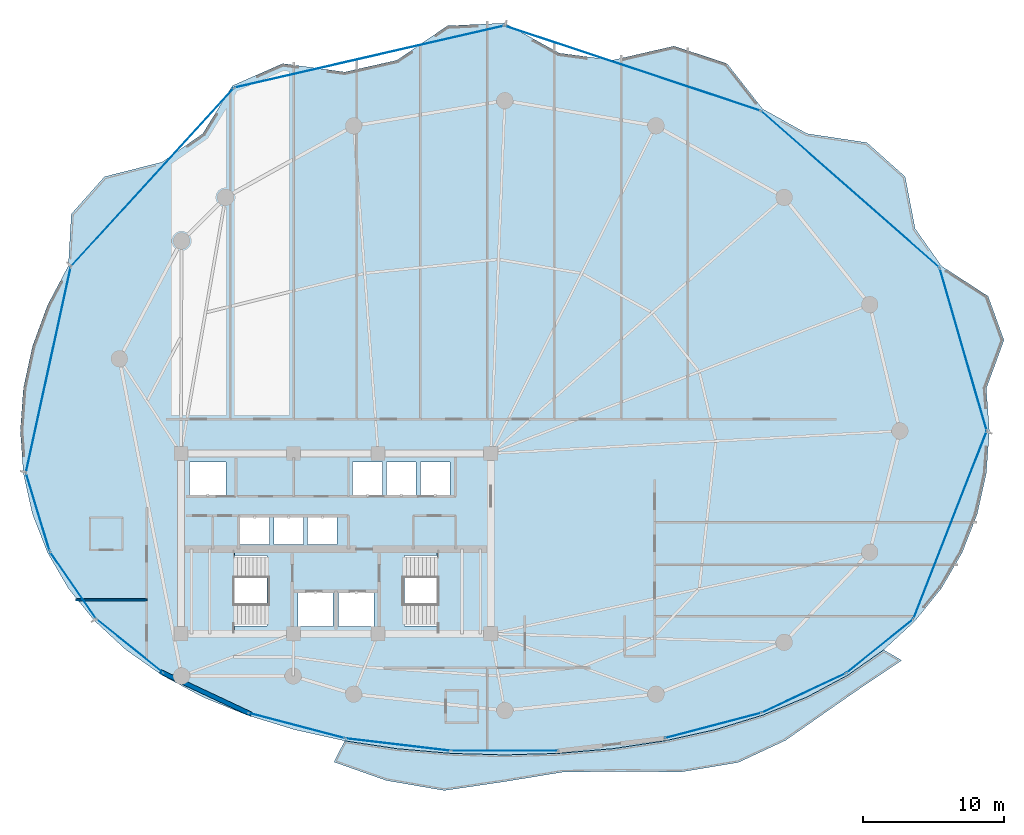
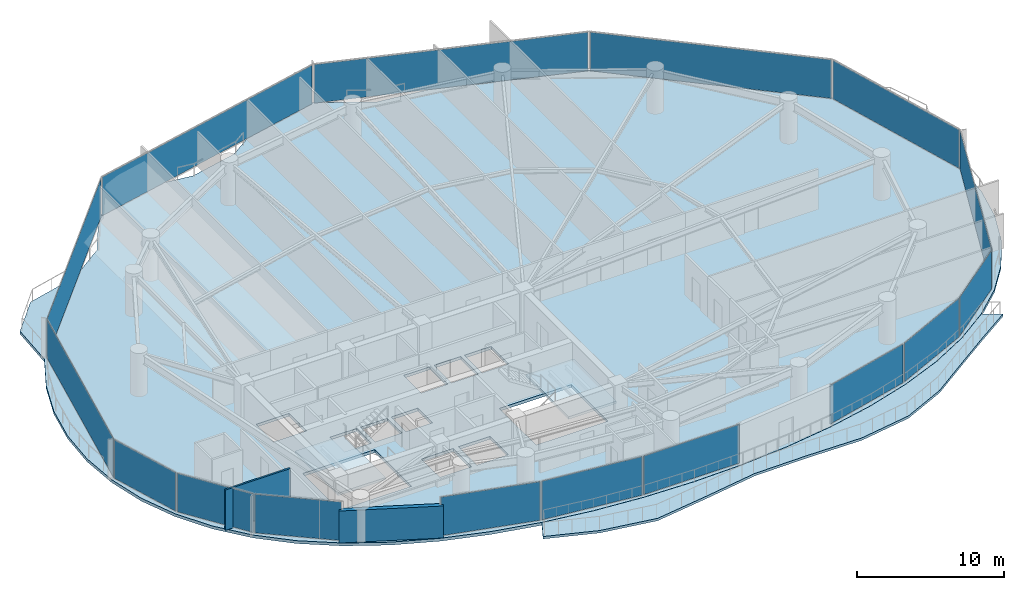
# One storey, part 25 of 34: 16 plates, 4 slabs, 2 walls, 18 elements without a shape of their own.
"""IFC4 building model written with IfcOpenShell, lengths in metres."""

from ifc_helpers import new_model, si_unit, direction, frame, frame_2d, origin, origin_2d, place, context, subcontext, project, spatial, polyline, rectangle, outline, extrude, material, layer, layer_set, type_object, element, aggregate, save


model = new_model("IFC4")

# Units and contexts
model_context = context("Model", 3, precision=1e-05, world=origin(), true_north=direction((0.0, 1.0)))
body_context = subcontext(model_context, "Body", "Model", "MODEL_VIEW")
ifc_project = project(units=[si_unit("LENGTHUNIT", "METRE"), si_unit("AREAUNIT", "SQUARE_METRE"), si_unit("VOLUMEUNIT", "CUBIC_METRE"), si_unit("PLANEANGLEUNIT", "RADIAN"), si_unit("MASSUNIT", "GRAM", prefix="KILO")], contexts=[model_context])

# Site, building, storey
site_placement = place(None, origin())
site = spatial("IfcSite", under=ifc_project, at=site_placement, CompositionType="ELEMENT")
building_placement = place(site_placement, origin())
building = spatial("IfcBuilding", under=site, at=building_placement, Name="Kazevale Care Tower and Concert Hall", CompositionType="ELEMENT")
storey_placement = place(building_placement, frame((0.0, 0.0, 171.0)))
storey = spatial("IfcBuildingStorey", under=building, at=storey_placement, Name="L45", CompositionType="ELEMENT", Elevation=171.0)

# Curtain wall, plate
ifc_material_1 = material(Name="Aluminium 6063-T6 and Low-E Glass", Category="aluminium")
ifc_layer_1 = layer(ifc_material_1, 0.179931640625)
ifc_layer_set_1 = layer_set([ifc_layer_1], Name="Aluminium 6063-T6 and Low-E Glass")
curtain_wall_type_1 = type_object("IfcCurtainWallType", Name="Convex Checkerboard Finned Curtain Wall CW-2", PredefinedType="NOTDEFINED", material=ifc_layer_set_1)
curtain_wall_1_placement = place(storey_placement, origin())
curtain_wall_1 = element("IfcCurtainWall", 1, at=curtain_wall_1_placement, inside=storey, type_object=curtain_wall_type_1, Name="cw:L45:f14", PredefinedType="NOTDEFINED")
ifc_material_2 = material(Name="Low-E Laminated Glass", Category="glass")
ifc_layer_2 = layer(ifc_material_2, 0.028076171875)
ifc_layer_set_2 = layer_set([ifc_layer_2], Name="Low-E Laminated Glass")
plate_type_1 = type_object("IfcPlateType", Name="CW-2 Low-E Glazing Panel 28mm", PredefinedType="CURTAIN_PANEL", material=ifc_layer_set_2)
plate_1_placement = place(storey_placement, frame((19.98388671875, 56.017578125, 0.074951171875), z_axis=(0.0, 0.0, 1.0), x_axis=(0.674262472751, 0.738491785899, 0.0)))
plate_1 = element("IfcPlate", 2, at=plate_1_placement, type_object=plate_type_1, Name="CW-2 panel 1.1", PredefinedType="CURTAIN_PANEL", context=body_context, shape_type="SweptSolid", body=[
    extrude(rectangle(XDim=17.0439453125, YDim=0.028076171875, at=origin_2d()), origin(), (0.0, 0.0, 1.0), 3.2099609375),
])
aggregate(curtain_wall_1, [plate_1])

curtain_wall_2_placement = place(storey_placement, origin())
curtain_wall_2 = element("IfcCurtainWall", 3, at=curtain_wall_2_placement, inside=storey, type_object=curtain_wall_type_1, Name="cw:L45:f16", PredefinedType="NOTDEFINED")
plate_2_placement = place(storey_placement, frame((54.070556640625, 63.7451171875, 0.074951171875), z_axis=(0.0, 0.0, 1.0), x_axis=(0.949135409507, -0.314868185785, 0.0)))
plate_2 = element("IfcPlate", 4, at=plate_2_placement, type_object=plate_type_1, Name="CW-2 panel 1.1", PredefinedType="CURTAIN_PANEL", context=body_context, shape_type="SweptSolid", body=[
    extrude(rectangle(XDim=19.041748046875, YDim=0.028076171875, at=origin_2d()), origin(), (0.0, 0.0, 1.0), 3.2099609375),
])
aggregate(curtain_wall_2, [plate_2])

ifc_layer_3 = layer(ifc_material_1, 0.179931640625)
ifc_layer_set_3 = layer_set([ifc_layer_3], Name="Aluminium 6063-T6 and Low-E Glass")
curtain_wall_type_2 = type_object("IfcCurtainWallType", Name="Convex Recessed Sunroom Curtain Wall CW-3", PredefinedType="NOTDEFINED", material=ifc_layer_set_3)
curtain_wall_3_placement = place(storey_placement, origin())
curtain_wall_3 = element("IfcCurtainWall", 5, at=curtain_wall_3_placement, inside=storey, type_object=curtain_wall_type_2, Name="cw:L45:f15", PredefinedType="NOTDEFINED")
ifc_layer_4 = layer(ifc_material_2, 0.028076171875)
ifc_layer_set_4 = layer_set([ifc_layer_4], Name="Low-E Laminated Glass")
plate_type_2 = type_object("IfcPlateType", Name="CW-3 Low-E Glazing Panel 28mm", PredefinedType="CURTAIN_PANEL", material=ifc_layer_set_4)
plate_3_placement = place(storey_placement, frame((35.37109375, 64.569091796875, 0.074951171875), z_axis=(0.0, 0.0, 1.0), x_axis=(0.974688488327, 0.223567329284, 0.0)))
plate_3 = element("IfcPlate", 6, at=plate_3_placement, type_object=plate_type_2, Name="CW-3 panel 1.1", PredefinedType="CURTAIN_PANEL", context=body_context, shape_type="SweptSolid", body=[
    extrude(rectangle(XDim=19.52197265625, YDim=0.028076171875, at=origin_2d()), origin(), (0.0, 0.0, 1.0), 3.2099609375),
])
aggregate(curtain_wall_3, [plate_3])

curtain_wall_4_placement = place(storey_placement, origin())
curtain_wall_4 = element("IfcCurtainWall", 7, at=curtain_wall_4_placement, inside=storey, type_object=curtain_wall_type_2, Name="cw:L45:f17", PredefinedType="NOTDEFINED")
plate_4_placement = place(storey_placement, frame((69.5244140625, 55.152587890625, 0.074951171875), z_axis=(0.0, 0.0, 1.0), x_axis=(0.751360700182, -0.659891732197, 0.0)))
plate_4 = element("IfcPlate", 8, at=plate_4_placement, type_object=plate_type_2, Name="CW-3 panel 1.1", PredefinedType="CURTAIN_PANEL", context=body_context, shape_type="SweptSolid", body=[
    extrude(rectangle(XDim=16.72998046875, YDim=0.028076171875, at=origin_2d()), origin(), (0.0, 0.0, 1.0), 3.2099609375),
])
aggregate(curtain_wall_4, [plate_4])

ifc_layer_5 = layer(ifc_material_1, 0.179931640625)
ifc_layer_set_5 = layer_set([ifc_layer_5], Name="Aluminium 6063-T6 and Low-E Glass")
curtain_wall_type_3 = type_object("IfcCurtainWallType", Name="Waist & Upper Residential Curtain Wall CW-4", PredefinedType="NOTDEFINED", material=ifc_layer_set_5)
curtain_wall_5_placement = place(storey_placement, origin())
curtain_wall_5 = element("IfcCurtainWall", 9, at=curtain_wall_5_placement, inside=storey, type_object=curtain_wall_type_3, Name="cw:L45:f01", PredefinedType="NOTDEFINED")
ifc_layer_6 = layer(ifc_material_2, 0.030029296875)
ifc_layer_set_6 = layer_set([ifc_layer_6], Name="Low-E Laminated Glass")
plate_type_3 = type_object("IfcPlateType", Name="CW-4 Low-E Glazing Panel 30mm", PredefinedType="CURTAIN_PANEL", material=ifc_layer_set_6)
plate_5_placement = place(storey_placement, frame((76.60791015625, 31.319091796875, 0.080078125), z_axis=(0.0, 0.0, 1.0), x_axis=(-0.36412075471, -0.931351746651, 0.0)))
plate_5 = element("IfcPlate", 10, at=plate_5_placement, type_object=plate_type_3, Name="CW-4 panel 1.1", PredefinedType="CURTAIN_PANEL", context=body_context, shape_type="SweptSolid", body=[
    extrude(rectangle(XDim=14.186767578125, YDim=0.030029296875, at=origin_2d()), origin(), (0.0, 0.0, 1.0), 3.199951171875),
])
aggregate(curtain_wall_5, [plate_5])

curtain_wall_6_placement = place(storey_placement, origin())
curtain_wall_6 = element("IfcCurtainWall", 11, at=curtain_wall_6_placement, inside=storey, type_object=curtain_wall_type_3, Name="cw:L45:f11", PredefinedType="NOTDEFINED")
plate_6_placement = place(storey_placement, frame((14.348388671875, 27.03955078125, 0.080078125), z_axis=(0.0, 0.0, 1.0), x_axis=(-0.567568708131, 0.823326035997, 0.0)))
plate_6 = element("IfcPlate", 12, at=plate_6_placement, type_object=plate_type_3, Name="CW-4 panel 1.1", PredefinedType="CURTAIN_PANEL", context=body_context, shape_type="SweptSolid", body=[
    extrude(rectangle(XDim=5.673583984375, YDim=0.030029296875, at=origin_2d()), origin(), (0.0, 0.0, 1.0), 3.199951171875),
])
aggregate(curtain_wall_6, [plate_6])

curtain_wall_7_placement = place(storey_placement, origin())
curtain_wall_7 = element("IfcCurtainWall", 13, at=curtain_wall_7_placement, inside=storey, type_object=curtain_wall_type_3, Name="cw:L45:f12", PredefinedType="NOTDEFINED")
plate_7_placement = place(storey_placement, frame((11.843994140625, 32.232421875, 0.080078125), z_axis=(0.0, 0.0, 1.0), x_axis=(-0.290977496961, 0.956729897234, 0.0)))
plate_7 = element("IfcPlate", 14, at=plate_7_placement, type_object=plate_type_3, Name="CW-4 panel 1.1", PredefinedType="CURTAIN_PANEL", context=body_context, shape_type="SweptSolid", body=[
    extrude(rectangle(XDim=5.675537109375, YDim=0.030029296875, at=origin_2d()), origin(), (0.0, 0.0, 1.0), 3.199951171875),
])
aggregate(curtain_wall_7, [plate_7])

curtain_wall_8_placement = place(storey_placement, origin())
curtain_wall_8 = element("IfcCurtainWall", 15, at=curtain_wall_8_placement, inside=storey, type_object=curtain_wall_type_3, Name="cw:L45:f13", PredefinedType="NOTDEFINED")
plate_8_placement = place(storey_placement, frame((12.589599609375, 42.344482421875, 0.080078125), z_axis=(0.0, 0.0, 1.0), x_axis=(0.21282305992, 0.977090755849, 0.0)))
plate_8 = element("IfcPlate", 16, at=plate_8_placement, type_object=plate_type_3, Name="CW-4 panel 1.1", PredefinedType="CURTAIN_PANEL", context=body_context, shape_type="SweptSolid", body=[
    extrude(rectangle(XDim=14.82421875, YDim=0.030029296875, at=origin_2d()), origin(), (0.0, 0.0, 1.0), 3.199951171875),
])
aggregate(curtain_wall_8, [plate_8])

curtain_wall_9_placement = place(storey_placement, origin())
curtain_wall_9 = element("IfcCurtainWall", 17, at=curtain_wall_9_placement, inside=storey, type_object=curtain_wall_type_3, Name="cw:L45:f18", PredefinedType="NOTDEFINED")
plate_9_placement = place(storey_placement, frame((77.54296875, 43.79150390625, 0.080078125), z_axis=(0.0, 0.0, 1.0), x_axis=(0.278136604418, -0.960541529182, 0.0)))
plate_9 = element("IfcPlate", 18, at=plate_9_placement, type_object=plate_type_3, Name="CW-4 panel 1.1", PredefinedType="CURTAIN_PANEL", context=body_context, shape_type="SweptSolid", body=[
    extrude(rectangle(XDim=11.89892578125, YDim=0.030029296875, at=origin_2d()), origin(), (0.0, 0.0, 1.0), 3.199951171875),
])
aggregate(curtain_wall_9, [plate_9])

ifc_layer_7 = layer(ifc_material_1, 0.179931640625)
ifc_layer_set_7 = layer_set([ifc_layer_7], Name="Aluminium 6063-T6 and Low-E Glass")
curtain_wall_type_4 = type_object("IfcCurtainWallType", Name="Sheltered Concave Balcony Curtain Wall CW-5", PredefinedType="NOTDEFINED", material=ifc_layer_set_7)
curtain_wall_10_placement = place(storey_placement, origin())
curtain_wall_10 = element("IfcCurtainWall", 19, at=curtain_wall_10_placement, inside=storey, type_object=curtain_wall_type_4, Name="cw:L45:f02", PredefinedType="NOTDEFINED")
ifc_layer_8 = layer(ifc_material_2, 0.02587890625)
ifc_layer_set_8 = layer_set([ifc_layer_8], Name="Low-E Laminated Glass")
plate_type_4 = type_object("IfcPlateType", Name="CW-5 Low-E Glazing Panel 26mm", PredefinedType="CURTAIN_PANEL", material=ifc_layer_set_8)
plate_10_placement = place(storey_placement, frame((71.613037109375, 22.720458984375, 0.074951171875), z_axis=(0.0, 0.0, 1.0), x_axis=(-0.779095419531, -0.626905357502, 0.0)))
plate_10 = element("IfcPlate", 20, at=plate_10_placement, type_object=plate_type_4, Name="CW-5 panel 1.1", PredefinedType="CURTAIN_PANEL", context=body_context, shape_type="SweptSolid", body=[
    extrude(rectangle(XDim=5.96728515625, YDim=0.02587890625, at=origin_2d()), origin(), (0.0, 0.0, 1.0), 3.2099609375),
])
aggregate(curtain_wall_10, [plate_10])

curtain_wall_11_placement = place(storey_placement, origin())
curtain_wall_11 = element("IfcCurtainWall", 21, at=curtain_wall_11_placement, inside=storey, type_object=curtain_wall_type_4, Name="cw:L45:f03", PredefinedType="NOTDEFINED")
plate_11_placement = place(storey_placement, frame((66.235595703125, 19.39697265625, 0.074951171875), z_axis=(0.0, 0.0, 1.0), x_axis=(-0.905188294205, -0.425010766963, 0.0)))
plate_11 = element("IfcPlate", 22, at=plate_11_placement, type_object=plate_type_4, Name="CW-5 panel 1.1", PredefinedType="CURTAIN_PANEL", context=body_context, shape_type="SweptSolid", body=[
    extrude(rectangle(XDim=6.46630859375, YDim=0.02587890625, at=origin_2d()), origin(), (0.0, 0.0, 1.0), 3.2099609375),
])
aggregate(curtain_wall_11, [plate_11])

curtain_wall_12_placement = place(storey_placement, origin())
curtain_wall_12 = element("IfcCurtainWall", 23, at=curtain_wall_12_placement, inside=storey, type_object=curtain_wall_type_4, Name="cw:L45:f04", PredefinedType="NOTDEFINED")
plate_12_placement = place(storey_placement, frame((59.784912109375, 17.08251953125, 0.074951171875), z_axis=(0.0, 0.0, 1.0), x_axis=(-0.967141564797, -0.254238458229, 0.0)))
plate_12 = element("IfcPlate", 24, at=plate_12_placement, type_object=plate_type_4, Name="CW-5 panel 1.1", PredefinedType="CURTAIN_PANEL", context=body_context, shape_type="SweptSolid", body=[
    extrude(rectangle(XDim=6.996826171875, YDim=0.02587890625, at=origin_2d()), origin(), (0.0, 0.0, 1.0), 3.2099609375),
])
aggregate(curtain_wall_12, [plate_12])

curtain_wall_13_placement = place(storey_placement, origin())
curtain_wall_13 = element("IfcCurtainWall", 25, at=curtain_wall_13_placement, inside=storey, type_object=curtain_wall_type_4, Name="cw:L45:f06", PredefinedType="NOTDEFINED")
plate_13_placement = place(storey_placement, frame((45.0, 15.2890625, 0.074951171875), z_axis=(0.0, 0.0, 1.0), x_axis=(-1.0, 0.0, 0.0)))
plate_13 = element("IfcPlate", 26, at=plate_13_placement, type_object=plate_type_4, Name="CW-5 panel 1.1", PredefinedType="CURTAIN_PANEL", context=body_context, shape_type="SweptSolid", body=[
    extrude(rectangle(XDim=7.531982421875, YDim=0.02587890625, at=origin_2d()), origin(), (0.0, 0.0, 1.0), 3.2099609375),
])
aggregate(curtain_wall_13, [plate_13])

curtain_wall_14_placement = place(storey_placement, origin())
curtain_wall_14 = element("IfcCurtainWall", 27, at=curtain_wall_14_placement, inside=storey, type_object=curtain_wall_type_4, Name="cw:L45:f07", PredefinedType="NOTDEFINED")
plate_14_placement = place(storey_placement, frame((37.4150390625, 15.7314453125, 0.074951171875), z_axis=(0.0, 0.0, 1.0), x_axis=(-0.993087997884, 0.117372179238, 0.0)))
plate_14 = element("IfcPlate", 28, at=plate_14_placement, type_object=plate_type_4, Name="CW-5 panel 1.1", PredefinedType="CURTAIN_PANEL", context=body_context, shape_type="SweptSolid", body=[
    extrude(rectangle(XDim=7.39013671875, YDim=0.02587890625, at=origin_2d()), origin(), (0.0, 0.0, 1.0), 3.2099609375),
])
aggregate(curtain_wall_14, [plate_14])

curtain_wall_15_placement = place(storey_placement, origin())
curtain_wall_15 = element("IfcCurtainWall", 29, at=curtain_wall_15_placement, inside=storey, type_object=curtain_wall_type_4, Name="cw:L45:f08", PredefinedType="NOTDEFINED")
plate_15_placement = place(storey_placement, frame((30.215087890625, 17.08251953125, 0.074951171875), z_axis=(0.0, 0.0, 1.0), x_axis=(-0.967141564797, 0.254238458229, 0.0)))
plate_15 = element("IfcPlate", 30, at=plate_15_placement, type_object=plate_type_4, Name="CW-5 panel 1.1", PredefinedType="CURTAIN_PANEL", context=body_context, shape_type="SweptSolid", body=[
    extrude(rectangle(XDim=6.996826171875, YDim=0.02587890625, at=origin_2d()), origin(), (0.0, 0.0, 1.0), 3.2099609375),
])
aggregate(curtain_wall_15, [plate_15])

curtain_wall_16_placement = place(storey_placement, origin())
curtain_wall_16 = element("IfcCurtainWall", 31, at=curtain_wall_16_placement, inside=storey, type_object=curtain_wall_type_4, Name="cw:L45:f10", PredefinedType="NOTDEFINED")
plate_16_placement = place(storey_placement, frame((18.386962890625, 22.720458984375, 0.074951171875), z_axis=(0.0, 0.0, 1.0), x_axis=(-0.779095419531, 0.626905357502, 0.0)))
plate_16 = element("IfcPlate", 32, at=plate_16_placement, type_object=plate_type_4, Name="CW-5 panel 1.1", PredefinedType="CURTAIN_PANEL", context=body_context, shape_type="SweptSolid", body=[
    extrude(rectangle(XDim=5.96728515625, YDim=0.02587890625, at=origin_2d()), origin(), (0.0, 0.0, 1.0), 3.2099609375),
])
aggregate(curtain_wall_16, [plate_16])

# Slab
ifc_material_3 = material(Name="Concrete C40", Category="concrete")
ifc_layer_9 = layer(ifc_material_3, 0.199951171875)
ifc_layer_set_9 = layer_set([ifc_layer_9], Name="Concrete C40")
slab_type_1 = type_object("IfcSlabType", Name="Sinusoidal Concave Balcony Slab 200", PredefinedType="USERDEFINED", material=ifc_layer_set_9)
slab_1_placement = place(storey_placement, frame((0.0, 0.0, -0.199951171875)))
element("IfcSlab", 33, at=slab_1_placement, inside=storey, type_object=slab_type_1, Name="slab:L45:bal", ObjectType="BALCONY", PredefinedType="USERDEFINED", context=body_context, shape_type="SweptSolid", body=[
    extrude(outline(polyline([(73.1787109375, 21.7109375), (70.423583984375, 19.865234375), (67.71826171875, 17.9873046875), (64.9287109375, 16.028076171875), (61.564697265625, 14.458984375), (57.5048828125, 13.783203125), (53.19921875, 13.8359375), (49.076904296875, 13.77099609375), (45.0, 13.103759765625), (40.7041015625, 12.4697265625), (36.579345703125, 13.183349609375), (32.864013671875, 14.498046875), (33.635986328125, 15.992919921875), (33.637451171875, 15.992431640625), (37.3447265625, 15.435546875), (41.148193359375, 15.104736328125), (45.0, 14.9951171875), (48.851806640625, 15.104736328125), (52.6552734375, 15.435546875), (56.362548828125, 15.992431640625), (59.927001953125, 16.783447265625), (63.3037109375, 17.81689453125), (66.4501953125, 19.101806640625), (69.3271484375, 20.64501953125), (71.898193359375, 22.44921875), (71.899658203125, 22.450439453125), (73.1787109375, 21.7109375)])), origin(), (0.0, 0.0, 1.0), 0.199951171875),
])

# Stair, slab
stair_type = type_object("IfcStairType", Name="Exit Stair Assembly ST1-Z2", PredefinedType="HALF_TURN_STAIR", material=ifc_material_3)
stair_1_placement = place(storey_placement, origin())
stair_1 = element("IfcStair", 34, at=stair_1_placement, inside=storey, type_object=stair_type, Name="stair:L45:ST1", PredefinedType="HALF_TURN_STAIR")
ifc_layer_10 = layer(ifc_material_3, 0.199951171875)
ifc_layer_set_10 = layer_set([ifc_layer_10], Name="Concrete C40")
slab_type_2 = type_object("IfcSlabType", Name="Stair Half-Landing Slab ST1-Z2", PredefinedType="LANDING", material=ifc_layer_set_10)
slab_2_placement = place(storey_placement, frame((0.0, 0.0, 1.60009765625)))
slab_2 = element("IfcSlab", 35, at=slab_2_placement, type_object=slab_type_2, Name="ST1-Z2 landing 1", PredefinedType="LANDING", context=body_context, shape_type="SweptSolid", body=[
    extrude(outline(polyline([(22.050048828125, 23.699951171875), (25.81005859375, 23.699951171875), (25.81005859375, 29.5), (22.050048828125, 29.5), (22.050048828125, 23.699951171875)])), origin(), (0.0, 0.0, 1.0), 0.199951171875),
])
aggregate(stair_1, [slab_2])

stair_2_placement = place(storey_placement, origin())
stair_2 = element("IfcStair", 36, at=stair_2_placement, inside=storey, type_object=stair_type, Name="stair:L45:ST2", PredefinedType="HALF_TURN_STAIR")
slab_3_placement = place(storey_placement, frame((0.0, 0.0, 1.60009765625)))
slab_3 = element("IfcSlab", 37, at=slab_3_placement, type_object=slab_type_2, Name="ST1-Z2 landing 1", PredefinedType="LANDING", context=body_context, shape_type="SweptSolid", body=[
    extrude(outline(polyline([(40.18994140625, 23.699951171875), (43.949951171875, 23.699951171875), (43.949951171875, 29.5), (40.18994140625, 29.5), (40.18994140625, 23.699951171875)])), origin(), (0.0, 0.0, 1.0), 0.199951171875),
])
aggregate(stair_2, [slab_3])

# Slab
ifc_layer_11 = layer(ifc_material_3, 0.239990234375)
ifc_layer_set_11 = layer_set([ifc_layer_11], Name="Concrete C40")
slab_type_3 = type_object("IfcSlabType", Name="Tower Typical Floor Slab 240", PredefinedType="FLOOR", material=ifc_layer_set_11)
slab_4_placement = place(storey_placement, frame((0.0, 0.0, -0.239990234375)))
element("IfcSlab", 38, at=slab_4_placement, inside=storey, type_object=slab_type_3, Name="slab:L45:tw:1", PredefinedType="FLOOR", context=body_context, shape_type="SweptSolid", body=[
    extrude(outline(polyline([(79.39990234375, 38.0), (79.18359375, 41.02294921875), (80.438720703125, 44.44189453125), (79.310302734375, 47.5615234375), (75.993408203125, 49.71484375), (74.127197265625, 52.364990234375), (73.419677734375, 56.050048828125), (70.703369140625, 58.470703125), (66.447998046875, 59.109619140625), (63.302001953125, 60.861572265625), (60.771728515625, 64.0830078125), (57.005615234375, 65.325439453125), (52.65478515625, 64.322998046875), (48.8515625, 64.830078125), (45.0, 66.949951171875), (40.93017578125, 66.76806640625), (37.34521484375, 64.322998046875), (33.638427734375, 63.48486328125), (29.228271484375, 64.0830078125), (25.66064453125, 62.5126953125), (23.552001953125, 59.109619140625), (20.675537109375, 57.091796875), (16.580322265625, 56.050048828125), (14.2216796875, 53.40234375), (14.006591796875, 49.71484375), (12.530517578125, 46.91748046875), (11.46240234375, 44.008056640625), (10.81640625, 41.02294921875), (10.60009765625, 38.0), (10.81640625, 34.997802734375), (11.46240234375, 32.1005859375), (12.530517578125, 29.362548828125), (14.006591796875, 26.82421875), (15.872802734375, 24.514892578125), (18.10498046875, 22.452880859375), (20.675537109375, 20.649169921875), (23.552001953125, 19.1064453125), (26.697998046875, 17.821533203125), (30.074462890625, 16.7880859375), (33.638427734375, 15.997314453125), (37.34521484375, 15.4404296875), (41.1484375, 15.109619140625), (45.0, 15.0), (48.8515625, 15.109619140625), (52.65478515625, 15.4404296875), (56.361572265625, 15.997314453125), (59.925537109375, 16.7880859375), (63.302001953125, 17.821533203125), (66.447998046875, 19.1064453125), (69.324462890625, 20.649169921875), (71.89501953125, 22.452880859375), (74.127197265625, 24.514892578125), (75.993408203125, 26.82421875), (77.469482421875, 29.362548828125), (78.53759765625, 32.1005859375), (79.18359375, 34.997802734375), (79.39990234375, 38.0)]), holes=[polyline([(22.449951171875, 24.14990234375), (28.110107421875, 24.14990234375), (28.110107421875, 29.14990234375), (22.449951171875, 29.14990234375), (22.449951171875, 24.14990234375)]), polyline([(37.889892578125, 24.14990234375), (43.550048828125, 24.14990234375), (43.550048828125, 29.14990234375), (37.889892578125, 29.14990234375), (37.889892578125, 24.14990234375)]), polyline([(30.300048828125, 24.10009765625), (32.800048828125, 24.10009765625), (32.800048828125, 26.60009765625), (30.300048828125, 26.60009765625), (30.300048828125, 24.10009765625)]), polyline([(33.199951171875, 24.10009765625), (35.699951171875, 24.10009765625), (35.699951171875, 26.60009765625), (33.199951171875, 26.60009765625), (33.199951171875, 24.10009765625)]), polyline([(22.60009765625, 33.39990234375), (25.199951171875, 33.39990234375), (25.199951171875, 35.800048828125), (22.60009765625, 35.800048828125), (22.60009765625, 33.39990234375)]), polyline([(34.199951171875, 33.39990234375), (36.300048828125, 33.39990234375), (36.300048828125, 35.800048828125), (34.199951171875, 35.800048828125), (34.199951171875, 33.39990234375)]), polyline([(36.60009765625, 33.39990234375), (38.699951171875, 33.39990234375), (38.699951171875, 35.800048828125), (36.60009765625, 35.800048828125), (36.60009765625, 33.39990234375)]), polyline([(39.0, 33.39990234375), (41.10009765625, 33.39990234375), (41.10009765625, 35.800048828125), (39.0, 35.800048828125), (39.0, 33.39990234375)]), polyline([(26.199951171875, 29.949951171875), (28.300048828125, 29.949951171875), (28.300048828125, 31.949951171875), (26.199951171875, 31.949951171875), (26.199951171875, 29.949951171875)]), polyline([(28.60009765625, 29.949951171875), (30.699951171875, 29.949951171875), (30.699951171875, 31.949951171875), (28.60009765625, 31.949951171875), (28.60009765625, 29.949951171875)]), polyline([(31.0, 29.949951171875), (33.10009765625, 29.949951171875), (33.10009765625, 31.949951171875), (31.0, 31.949951171875), (31.0, 29.949951171875)])]), origin(), (0.0, 0.0, 1.0), 0.239990234375),
])

# Walls
ifc_material_4 = material(Name="Acoustic Gypsum on Steel Stud", Category="steel")
ifc_layer_12 = layer(ifc_material_4, 0.139892578125)
ifc_layer_set_12 = layer_set([ifc_layer_12], Name="Acoustic Gypsum on Steel Stud")
wall_type_1 = type_object("IfcWallType", Name="Acoustic Care & Suite Partition 140", PredefinedType="PARTITIONING", material=ifc_layer_set_12)
wall_1_placement = place(storey_placement, frame((14.52392578125, 26.0, 0.0), z_axis=(0.0, 0.0, 1.0), x_axis=(1.0, 0.0, 0.0)))
element("IfcWall", 39, at=wall_1_placement, inside=storey, type_object=wall_type_1, Name="wall:L45:auto_034", PredefinedType="PARTITIONING", context=body_context, shape_type="SweptSolid", body=[
    extrude(rectangle(XDim=5.0810546875, YDim=0.139892578125, at=frame_2d((2.54052734375, 0.0))), origin(), (0.0, 0.0, 1.0), 3.360107421875),
])
ifc_material_5 = material(Name="Concrete C40 with Honed Limestone Cladding", Category="masonry")
ifc_layer_13 = layer(ifc_material_5, 0.320068359375)
ifc_layer_set_13 = layer_set([ifc_layer_13], Name="Concrete C40 with Honed Limestone Cladding")
wall_type_2 = type_object("IfcWallType", Name="Tower Honed Limestone Spandrel Wall 320", PredefinedType="STANDARD", material=ifc_layer_set_13)
wall_2_placement = place(storey_placement, frame((26.993896484375, 17.8798828125, 0.0), z_axis=(0.0, 0.0, 1.0), x_axis=(-0.905106920297, 0.425184034073, 0.0)))
element("IfcWall", 40, at=wall_2_placement, inside=storey, type_object=wall_type_2, Name="wall:cw:L45:f09", PredefinedType="STANDARD", context=body_context, shape_type="SweptSolid", body=[
    extrude(rectangle(XDim=7.13623046875, YDim=0.320068359375, at=frame_2d((3.568115234375, 0.0))), origin(), (0.0, 0.0, 1.0), 2.656982421875),
])

save(model, "model.ifc")
